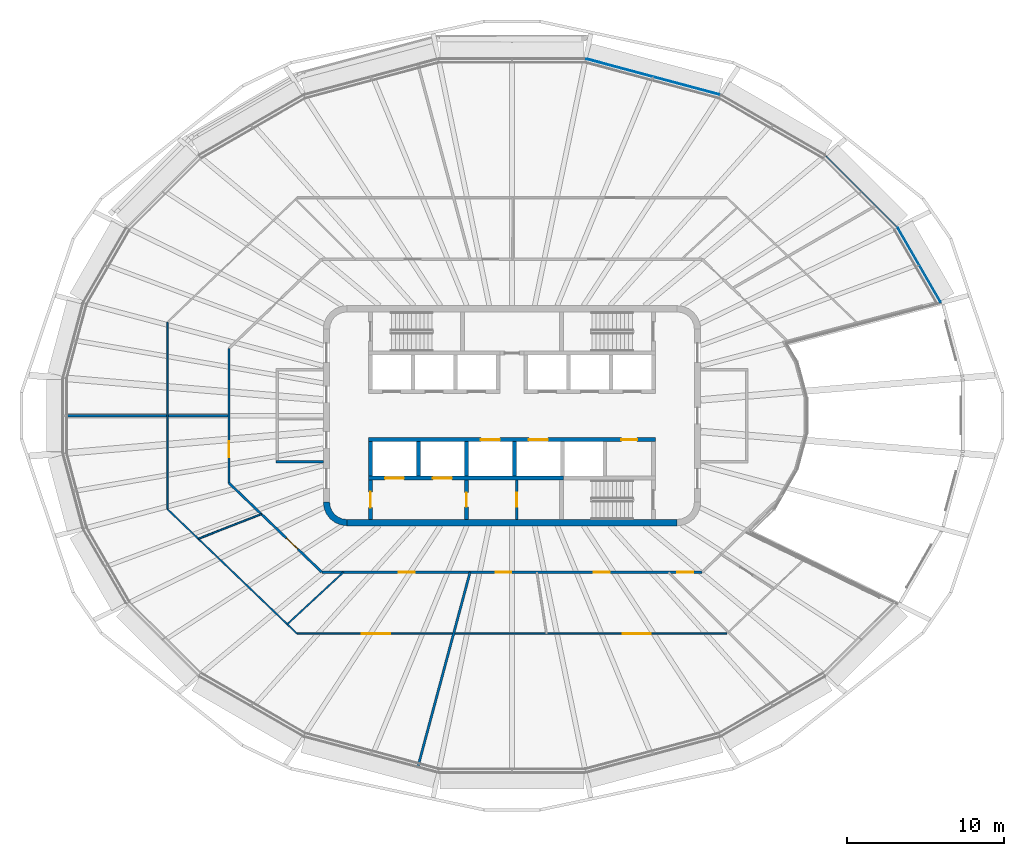
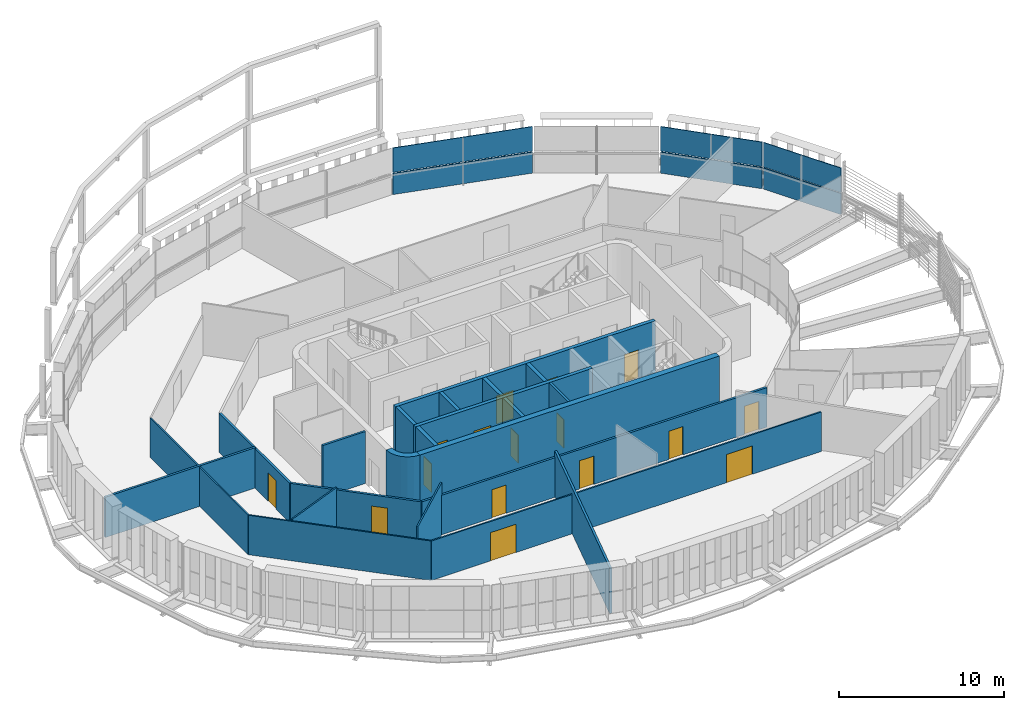
# One storey, part 9 of 19: 22 walls, 16 doors, 6 plates, 16 openings, 3 elements without a shape of their own.
"""IFC4 building model written with IfcOpenShell, lengths in metres."""

import ifcopenshell
import ifcopenshell.guid

model = None  # the IFC model being written
_history = None  # IfcOwnerHistory: only IFC2X3 demands one
_inside = {}  # id of a spatial element -> (the spatial element, [elements in it])
_under = {}  # id of a project, library or spatial element -> (it, [spatial elements below it])
_declared = {}  # id of a project -> (the project, [libraries it declares])
_typed = {}  # id of a type object -> (the type object, [elements of that type])
_made_of = {}  # id of a material, layer set ... -> (it, [elements and type objects made of it])


def new_model(schema):
    """Start an empty IFC model of exactly this schema.

    Asked for "IFC4X3", IfcOpenShell would pick the latest addendum, in which some entities
    have other attributes; the version numbers below select the first issue.
    IFC2X3 requires an IfcOwnerHistory on every rooted entity: one is made here for all.
    """
    global model, _history
    if schema == "IFC4X3":
        model = ifcopenshell.file(schema_version=(4, 3, 0, 0))
    else:
        model = ifcopenshell.file(schema=schema)
    _inside.clear()
    _under.clear()
    _declared.clear()
    _typed.clear()
    _made_of.clear()
    _history = None
    if model.schema == "IFC2X3":
        org = make("IfcOrganization", Name="unknown")
        user = make(
            "IfcPersonAndOrganization",
            ThePerson=make("IfcPerson", FamilyName="unknown"),
            TheOrganization=org,
        )
        app = make(
            "IfcApplication",
            ApplicationDeveloper=org,
            Version="unknown",
            ApplicationFullName="unknown",
            ApplicationIdentifier="unknown",
        )
        _history = make(
            "IfcOwnerHistory",
            OwningUser=user,
            OwningApplication=app,
            ChangeAction="ADDED",
            CreationDate=0,
        )
    return model


def make(cls, **values):
    """One entity of the class cls with the attributes given. An attribute that is None is left unset."""
    return model.create_entity(
        cls, **{name: value for name, value in values.items() if value is not None}
    )


def rooted(cls, **values):
    """An entity with a GlobalId (a new one), such as an element, a storey or a relation."""
    return make(cls, GlobalId=ifcopenshell.guid.new(), OwnerHistory=_history, **values)


def si_unit(unit_type, name, prefix=None):
    """IfcSIUnit, for example si_unit("LENGTHUNIT", "METRE", prefix="MILLI")."""
    return make("IfcSIUnit", UnitType=unit_type, Prefix=prefix, Name=name)


def assignment(units):
    """IfcUnitAssignment: the units of a project."""
    return None if units is None else make("IfcUnitAssignment", Units=units)


def point(xyz):
    """IfcCartesianPoint."""
    return None if xyz is None else make("IfcCartesianPoint", Coordinates=xyz)


def direction(xyz):
    """IfcDirection."""
    return None if xyz is None else make("IfcDirection", DirectionRatios=xyz)


def frame(location, z_axis=None, x_axis=None):
    """IfcAxis2Placement3D, a coordinate frame: its origin and axes. An axis left out is left unset."""
    return make(
        "IfcAxis2Placement3D",
        Location=point(location),
        Axis=direction(z_axis),
        RefDirection=direction(x_axis),
    )


def frame_2d(location, x_axis=None):
    """IfcAxis2Placement2D, a coordinate frame in the plane: its origin and x axis."""
    return make(
        "IfcAxis2Placement2D", Location=point(location), RefDirection=direction(x_axis)
    )


def origin():
    """The frame at (0, 0, 0) with its axes left unset."""
    return frame((0.0, 0.0, 0.0))


def place(relative_to, where):
    """IfcLocalPlacement: puts the frame where relative to a parent placement (None: the world)."""
    return make(
        "IfcLocalPlacement", PlacementRelTo=relative_to, RelativePlacement=where
    )


def context(
    kind, dimensions, precision=None, world=None, true_north=None, identifier=None
):
    """IfcGeometricRepresentationContext, for example the 3D "Model" context."""
    return make(
        "IfcGeometricRepresentationContext",
        ContextIdentifier=identifier,
        ContextType=kind,
        CoordinateSpaceDimension=dimensions,
        Precision=precision,
        WorldCoordinateSystem=world,
        TrueNorth=true_north,
    )


def subcontext(parent, identifier, kind, view, scale=None):
    """IfcGeometricRepresentationSubContext, for example "Body" below "Model"."""
    return make(
        "IfcGeometricRepresentationSubContext",
        ContextIdentifier=identifier,
        ContextType=kind,
        ParentContext=parent,
        TargetScale=scale,
        TargetView=view,
    )


def project(units=None, contexts=None):
    """IfcProject with its units and contexts."""
    return rooted(
        "IfcProject",
        Name="project",
        RepresentationContexts=contexts,
        UnitsInContext=assignment(units),
    )


def spatial(cls, under=None, at=None, **own):
    """A site, building, storey or space (cls), placed at a placement, below another one or the project."""
    s = rooted(cls, ObjectPlacement=at, **own)
    if under is not None:
        _under.setdefault(under.id(), (under, []))[1].append(s)
    return s


def polyline(points):
    """IfcPolyline through the points."""
    return make("IfcPolyline", Points=[point(p) for p in points])


def profile(cls, at=None, kind="AREA", **sizes):
    """A parametric profile (cls). Its sizes go by their IFC names, for example OverallWidth=200.0."""
    return make(cls, ProfileType=kind, Position=at, **sizes)


def rectangle(**sizes):
    """IfcRectangleProfileDef."""
    return profile("IfcRectangleProfileDef", **sizes)


def outline(outer, holes=None, kind="AREA"):
    """IfcArbitraryClosedProfileDef: a profile drawn as a closed curve; with holes, ...WithVoids."""
    if holes is None:
        return make("IfcArbitraryClosedProfileDef", ProfileType=kind, OuterCurve=outer)
    return make(
        "IfcArbitraryProfileDefWithVoids",
        ProfileType=kind,
        OuterCurve=outer,
        InnerCurves=holes,
    )


def extrude(swept, where, along, depth):
    """IfcExtrudedAreaSolid: the profile swept, set in the frame where, extruded along a direction by depth."""
    return make(
        "IfcExtrudedAreaSolid",
        SweptArea=swept,
        Position=where,
        ExtrudedDirection=direction(along),
        Depth=depth,
    )


def shape(context_of_items, identifier, shape_type, items):
    """IfcShapeRepresentation: the items that make up one representation, for example the "Body"."""
    return make(
        "IfcShapeRepresentation",
        ContextOfItems=context_of_items,
        RepresentationIdentifier=identifier,
        RepresentationType=shape_type,
        Items=items,
    )


def material(Name=None, Category=None):
    """IfcMaterial."""
    return make("IfcMaterial", Name=Name, Category=Category)


def layer(
    of_material, thickness, ventilated=None, Name=None, Category=None, Priority=None
):
    """IfcMaterialLayer: one layer of a wall or slab, of a material (None: an air gap)."""
    return make(
        "IfcMaterialLayer",
        Material=of_material,
        LayerThickness=thickness,
        IsVentilated=ventilated,
        Name=Name,
        Category=Category,
        Priority=Priority,
    )


def layer_set(layers, Name=None):
    """IfcMaterialLayerSet."""
    return make("IfcMaterialLayerSet", MaterialLayers=layers, LayerSetName=Name)


def made_of(thing, what):
    """Note that an element or type object is made of a material, layer set ...; save() writes the relation."""
    if what is not None:
        _made_of.setdefault(what.id(), (what, []))[1].append(thing)
    return thing


def type_object(cls, material=None, **own):
    """A type object (cls), such as IfcWallType, which elements share."""
    return made_of(rooted(cls, **own), material)


def element(
    cls,
    number,
    at=None,
    inside=None,
    cuts=None,
    type_object=None,
    material=None,
    context=None,
    identifier="Body",
    shape_type=None,
    held_by="IfcProductDefinitionShape",
    body=None,
    shapes=None,
    **own,
):
    """One element of the class cls, such as IfcWall. Its Tag is "e" and its number.

    at: its placement. inside: the storey or other place that contains it. cuts: it is an
    opening in that element (IfcRelVoidsElement). A single representation is given by context,
    identifier, shape_type and body (its items); several are given by shapes. held_by: the class
    of the entity that holds the representations. save() writes the other relations.
    """
    e = rooted(cls, Tag="e%d" % number, ObjectPlacement=at, **own)
    if body is not None:
        shapes = [shape(context, identifier, shape_type, body)]
    if shapes is not None:
        e.Representation = make(held_by, Representations=shapes)
    if inside is not None:
        _inside.setdefault(inside.id(), (inside, []))[1].append(e)
    if cuts is not None:
        rooted(
            "IfcRelVoidsElement", RelatingBuildingElement=cuts, RelatedOpeningElement=e
        )
    if type_object is not None:
        _typed.setdefault(type_object.id(), (type_object, []))[1].append(e)
    return made_of(e, material)


def fill(opening, filler):
    """IfcRelFillsElement: the door or window that sits in an opening."""
    return rooted(
        "IfcRelFillsElement",
        RelatingOpeningElement=opening,
        RelatedBuildingElement=filler,
    )


def aggregate(whole, parts):
    """IfcRelAggregates: a whole, such as a stair, and the parts it consists of."""
    return rooted("IfcRelAggregates", RelatingObject=whole, RelatedObjects=parts)


def save(model, path):
    """Write the relations noted so far, then the file.

    IfcRelAggregates (storeys below a building ...), IfcRelContainedInSpatialStructure (elements
    in a storey), IfcRelDefinesByType, IfcRelAssociatesMaterial and IfcRelDeclares: one each for
    every whole, place, type object, material and project.
    """
    for whole, parts in _under.values():
        aggregate(whole, parts)
    for where, things in _inside.values():
        rooted(
            "IfcRelContainedInSpatialStructure",
            RelatedElements=things,
            RelatingStructure=where,
        )
    for kind, things in _typed.values():
        rooted("IfcRelDefinesByType", RelatedObjects=things, RelatingType=kind)
    for what, things in _made_of.values():
        rooted("IfcRelAssociatesMaterial", RelatedObjects=things, RelatingMaterial=what)
    for by, libraries in _declared.values():
        rooted("IfcRelDeclares", RelatingContext=by, RelatedDefinitions=libraries)
    model.write(path)


model = new_model("IFC4")

# Units and contexts
model_context = context("Model", 3, precision=1e-05, world=origin(), true_north=direction((0.0, 1.0)))
body_context = subcontext(model_context, "Body", "Model", "MODEL_VIEW")
ifc_project = project(units=[si_unit("LENGTHUNIT", "METRE"), si_unit("AREAUNIT", "SQUARE_METRE"), si_unit("VOLUMEUNIT", "CUBIC_METRE"), si_unit("PLANEANGLEUNIT", "RADIAN"), si_unit("MASSUNIT", "GRAM", prefix="KILO")], contexts=[model_context])

# Site, building, storey
site_placement = place(None, origin())
site = spatial("IfcSite", under=ifc_project, at=site_placement, CompositionType="ELEMENT")
building_placement = place(site_placement, origin())
building = spatial("IfcBuilding", under=site, at=building_placement, Name="Sahrelin Media Tower", CompositionType="ELEMENT")
storey_placement = place(building_placement, frame((0.0, 0.0, 287.0)))
storey = spatial("IfcBuildingStorey", under=building, at=storey_placement, Name="L63", CompositionType="ELEMENT", Elevation=287.0)

# Curtain wall, plate
ifc_material_1 = material(Name="Champagne anodised aluminium 6063-T6", Category="aluminium")
ifc_layer_1 = layer(ifc_material_1, 0.14990234375)
ifc_layer_set_1 = layer_set([ifc_layer_1], Name="Tower ribbon curtain wall")
curtain_wall_type = type_object("IfcCurtainWallType", Name="Tower ribbon curtain wall", PredefinedType="NOTDEFINED", material=ifc_layer_set_1)
curtain_wall_1_placement = place(storey_placement, frame((25.900634765625, 9.580078125, 0.0), z_axis=(0.0, 0.0, 1.0), x_axis=(1.0, 0.0, 0.0)))
curtain_wall_1 = element("IfcCurtainWall", 1, at=curtain_wall_1_placement, inside=storey, type_object=curtain_wall_type, Name="L63:CW:L63-02", PredefinedType="NOTDEFINED")
ifc_material_2 = material(Name="Clear low-iron glazing", Category="glass")
ifc_layer_2 = layer(ifc_material_2, 0.048095703125)
ifc_layer_set_2 = layer_set([ifc_layer_2], Name="Glazing panel 48 mm CW1C")
plate_type_1 = type_object("IfcPlateType", Name="Glazing panel 48 mm CW1C", PredefinedType="CURTAIN_PANEL", material=ifc_layer_set_2)
plate_1_placement = place(storey_placement, frame((27.274658203125, 7.240478515625, 1.6298828125), z_axis=(0.866014013474, 0.500019728077, 0.0), x_axis=(-0.500019728077, 0.866014013474, 0.0)))
plate_1 = element("IfcPlate", 2, at=plate_1_placement, type_object=plate_type_1, Name="L63:CWP2:L63-02", PredefinedType="CURTAIN_PANEL", context=body_context, shape_type="SweptSolid", body=[
    extrude(outline(polyline([(0.0, 0.0), (5.426513671875, 0.0), (5.426513671875, 1.818603515625), (0.0, 1.818603515625), (0.0, 0.0)])), origin(), (0.0, 0.0, -1.0), 0.048095703125),
])

curtain_wall_2_placement = place(storey_placement, frame((22.2294921875, 14.2626953125, 0.0), z_axis=(0.0, 0.0, 1.0), x_axis=(1.0, 0.0, 0.0)))
curtain_wall_2 = element("IfcCurtainWall", 3, at=curtain_wall_2_placement, inside=storey, type_object=curtain_wall_type, Name="L63:CW:L63-03", PredefinedType="NOTDEFINED")
plate_2_placement = place(storey_placement, frame((24.497802734375, 12.022705078125, 1.6298828125), z_axis=(0.707125926591, 0.707087635264, 0.0), x_axis=(-0.707087635264, 0.707125926591, 0.0)))
plate_2 = element("IfcPlate", 4, at=plate_2_placement, type_object=plate_type_1, Name="L63:CWP2:L63-03", PredefinedType="CURTAIN_PANEL", context=body_context, shape_type="SweptSolid", body=[
    extrude(outline(polyline([(0.0, 0.0), (6.3759765625, 0.0), (6.3759765625, 1.818603515625), (0.0, 1.818603515625), (0.0, 0.0)])), origin(), (0.0, 0.0, -1.0), 0.048095703125),
])

curtain_wall_3_placement = place(storey_placement, frame((8.972412109375, 21.55810546875, 0.0), z_axis=(0.0, 0.0, 1.0), x_axis=(1.0, 0.0, 0.0)))
curtain_wall_3 = element("IfcCurtainWall", 5, at=curtain_wall_3_placement, inside=storey, type_object=curtain_wall_type, Name="L63:CW:L63-05", PredefinedType="NOTDEFINED")
plate_3_placement = place(storey_placement, frame((13.21630859375, 20.44189453125, 1.6298828125), z_axis=(0.2587930952, 0.965932779171, 0.0), x_axis=(-0.965932779171, 0.2587930952, 0.0)))
plate_3 = element("IfcPlate", 6, at=plate_3_placement, type_object=plate_type_1, Name="L63:CWP2:L63-05", PredefinedType="CURTAIN_PANEL", context=body_context, shape_type="SweptSolid", body=[
    extrude(outline(polyline([(0.0, 0.0), (8.7763671875, 0.0), (8.7763671875, 1.818603515625), (0.0, 1.818603515625), (0.0, 0.0)])), origin(), (0.0, 0.0, -1.0), 0.048095703125),
])

# Plate
ifc_material_3 = material(Name="Insulated spandrel panel")
ifc_layer_3 = layer(ifc_material_3, 0.06005859375)
ifc_layer_set_3 = layer_set([ifc_layer_3], Name="Spandrel panel 60 mm CW1")
plate_type_2 = type_object("IfcPlateType", Name="Spandrel panel 60 mm CW1", PredefinedType="SHEET", material=ifc_layer_set_3)
plate_4_placement = place(storey_placement, frame((27.274658203125, 7.240478515625, 0.0), z_axis=(0.866014013474, 0.500019728077, 0.0), x_axis=(-0.500019728077, 0.866014013474, 0.0)))
plate_4 = element("IfcPlate", 7, at=plate_4_placement, type_object=plate_type_2, Name="L63:CWP1:L63-02", PredefinedType="SHEET", context=body_context, shape_type="SweptSolid", body=[
    extrude(outline(polyline([(0.0, 0.0), (5.426513671875, 0.0), (5.426513671875, 1.570068359375), (0.0, 1.570068359375), (0.0, 0.0)])), origin(), (0.0, 0.0, -1.0), 0.06005859375),
])

aggregate(curtain_wall_1, [plate_4, plate_1])

plate_5_placement = place(storey_placement, frame((24.497802734375, 12.022705078125, 0.0), z_axis=(0.707125926591, 0.707087635264, 0.0), x_axis=(-0.707087635264, 0.707125926591, 0.0)))
plate_5 = element("IfcPlate", 8, at=plate_5_placement, type_object=plate_type_2, Name="L63:CWP1:L63-03", PredefinedType="SHEET", context=body_context, shape_type="SweptSolid", body=[
    extrude(outline(polyline([(0.0, 0.0), (6.3759765625, 0.0), (6.3759765625, 1.570068359375), (0.0, 1.570068359375), (0.0, 0.0)])), origin(), (0.0, 0.0, -1.0), 0.06005859375),
])

aggregate(curtain_wall_2, [plate_5, plate_2])

plate_6_placement = place(storey_placement, frame((13.21630859375, 20.44189453125, 0.0), z_axis=(0.2587930952, 0.965932779171, 0.0), x_axis=(-0.965932779171, 0.2587930952, 0.0)))
plate_6 = element("IfcPlate", 9, at=plate_6_placement, type_object=plate_type_2, Name="L63:CWP1:L63-05", PredefinedType="SHEET", context=body_context, shape_type="SweptSolid", body=[
    extrude(outline(polyline([(0.0, 0.0), (8.7763671875, 0.0), (8.7763671875, 1.570068359375), (0.0, 1.570068359375), (0.0, 0.0)])), origin(), (0.0, 0.0, -1.0), 0.06005859375),
])

aggregate(curtain_wall_3, [plate_6, plate_3])

# Walls
ifc_material_4 = material(Name="Concrete C60/75", Category="concrete")
ifc_layer_4 = layer(ifc_material_4, 0.39990234375)
ifc_layer_set_4 = layer_set([ifc_layer_4], Name="Core wall 400")
wall_type_1 = type_object("IfcWallType", Name="Core wall 400", PredefinedType="SHEAR", material=ifc_layer_set_4)
wall_1_placement = place(storey_placement, frame((-10.5, -6.800048828125, 0.0), z_axis=(0.0, 0.0, 1.0), x_axis=(1.0, 0.0, 0.0)))
element("IfcWall", 10, at=wall_1_placement, inside=storey, type_object=wall_type_1, Name="Core wall S L63", PredefinedType="SHEAR", context=body_context, shape_type="SweptSolid", body=[
    extrude(rectangle(XDim=21.0, YDim=0.39990234375, at=frame_2d((10.5, 0.0))), origin(), (0.0, 0.0, 1.0), 4.0),
])
wall_2_placement = place(storey_placement, origin())
element("IfcWall", 11, at=wall_2_placement, inside=storey, type_object=wall_type_1, Name="Core wall corner SW L63", PredefinedType="SHEAR", context=body_context, shape_type="SweptSolid", body=[
    extrude(outline(polyline([(-10.5, -7.0), (-10.5, -6.596435546875), (-10.78369140625, -6.55908203125), (-11.04833984375, -6.44970703125), (-11.275390625, -6.275390625), (-11.44970703125, -6.04833984375), (-11.55908203125, -5.78369140625), (-11.596435546875, -5.5), (-12.0, -5.5), (-11.948974609375, -5.88818359375), (-11.799072265625, -6.25), (-11.560791015625, -6.560791015625), (-11.25, -6.799072265625), (-10.88818359375, -6.948974609375), (-10.5, -7.0)])), origin(), (0.0, 0.0, 1.0), 4.0),
])

# Wall, opening, door
ifc_material_5 = material(Name="Fire-rated gypsum board partition")
ifc_layer_5 = layer(ifc_material_5, 0.14990234375)
ifc_layer_set_5 = layer_set([ifc_layer_5], Name="Fire-rated partition 150")
wall_type_2 = type_object("IfcWallType", Name="Fire-rated partition 150", PredefinedType="PARTITIONING", material=ifc_layer_set_5)
wall_3_placement = place(storey_placement, frame((0.300048828125, -6.60009765625, 0.0), z_axis=(0.0, 0.0, 1.0), x_axis=(0.0, 1.0, 0.0)))
wall_3 = element("IfcWall", 12, at=wall_3_placement, inside=storey, type_object=wall_type_2, Name="Core room fire partition", PredefinedType="PARTITIONING", context=body_context, shape_type="SweptSolid", body=[
    extrude(rectangle(XDim=2.5, YDim=0.14990234375, at=frame_2d((1.25, 0.0))), origin(), (0.0, 0.0, 1.0), 3.85009765625),
])
opening_1_placement = place(wall_3_placement, frame((0.800048828125, 0.0, 0.0)))
opening_1 = element("IfcOpeningElement", 13, at=opening_1_placement, cuts=wall_3, Name="Opening L63-D07", PredefinedType="OPENING", context=body_context, shape_type="SweptSolid", body=[
    extrude(rectangle(XDim=0.89990234375, YDim=2.10009765625, at=frame_2d((0.449951171875, 1.050048828125))), frame((0.0, 0.074951171875, 0.0), z_axis=(0.0, -1.0, 0.0), x_axis=(1.0, 0.0, 0.0)), (0.0, 0.0, 1.0), 0.14990234375),
])
ifc_material_6 = material(Name="Steel fire door leaf", Category="steel")
door_type_1 = type_object("IfcDoorType", Name="Fire door 900 x 2100 EI 60", OperationType="NOTDEFINED", PredefinedType="DOOR", material=ifc_material_6)
door_1_placement = place(opening_1_placement, origin())
door_1 = element("IfcDoor", 14, at=door_1_placement, inside=storey, type_object=door_type_1, Name="Core room door", OperationType="SINGLE_SWING_RIGHT", OverallHeight=2.10009765625, OverallWidth=0.89990234375, PredefinedType="DOOR", context=body_context, shape_type="SweptSolid", body=[
    extrude(rectangle(XDim=0.89990234375, YDim=2.10009765625, at=frame_2d((0.449951171875, 1.050048828125))), frame((0.0, 0.02490234375, 0.0), z_axis=(0.0, -1.0, 0.0), x_axis=(1.0, 0.0, 0.0)), (0.0, 0.0, 1.0), 0.050048828125),
])
fill(opening_1, door_1)

# Wall
wall_4_placement = place(storey_placement, frame((-15.0, -2.925048828125, 0.0), z_axis=(0.0, 0.0, 1.0), x_axis=(1.0, 0.0, 0.0)))
element("IfcWall", 15, at=wall_4_placement, inside=storey, type_object=wall_type_2, Name="Core room fire partition", PredefinedType="PARTITIONING", context=body_context, shape_type="SweptSolid", body=[
    extrude(rectangle(XDim=3.0, YDim=0.14990234375, at=frame_2d((1.5, 0.0))), origin(), (0.0, 0.0, 1.0), 3.85009765625),
])

# Wall, opening, door
wall_5_placement = place(storey_placement, frame((-18.0, -4.278076171875, 0.0), z_axis=(0.0, 0.0, 1.0), x_axis=(0.721290181137, -0.692633001376, 0.0)))
wall_5 = element("IfcWall", 16, at=wall_5_placement, inside=storey, type_object=wall_type_2, Name="Wall", PredefinedType="PARTITIONING", context=body_context, shape_type="SweptSolid", body=[
    extrude(rectangle(XDim=8.18701171875, YDim=0.14990234375, at=frame_2d((4.093505859375, 0.0))), origin(), (0.0, 0.0, 1.0), 2.927001953125),
])
opening_2_placement = place(wall_5_placement, frame((5.073486328125, 0.0, 0.0)))
opening_2 = element("IfcOpeningElement", 17, at=opening_2_placement, cuts=wall_5, Name="Opening L63-D29", PredefinedType="OPENING", context=body_context, shape_type="SweptSolid", body=[
    extrude(rectangle(XDim=1.0, YDim=2.10009765625, at=frame_2d((0.5, 1.050048828125))), frame((0.0, 0.074951171875, 0.0), z_axis=(0.0, -1.0, 0.0), x_axis=(1.0, 0.0, 0.0)), (0.0, 0.0, 1.0), 0.14990234375),
])
door_type_2 = type_object("IfcDoorType", Name="Fire door 1000 x 2100 EI 60", OperationType="NOTDEFINED", PredefinedType="DOOR", material=ifc_material_6)
door_2_placement = place(opening_2_placement, origin())
door_2 = element("IfcDoor", 18, at=door_2_placement, inside=storey, type_object=door_type_2, Name="Fire door", OperationType="SINGLE_SWING_LEFT", OverallHeight=2.10009765625, OverallWidth=1.0, PredefinedType="DOOR", context=body_context, shape_type="SweptSolid", body=[
    extrude(rectangle(XDim=1.0, YDim=2.10009765625, at=frame_2d((0.5, 1.050048828125))), frame((0.0, 0.02490234375, 0.0), z_axis=(0.0, -1.0, 0.0), x_axis=(1.0, 0.0, 0.0)), (0.0, 0.0, 1.0), 0.050048828125),
])
fill(opening_2, door_2)

# Wall, openings, doors
wall_6_placement = place(storey_placement, frame((-12.094970703125, -9.948974609375, 0.0), z_axis=(0.0, 0.0, 1.0), x_axis=(1.0, 0.0, 0.0)))
wall_6 = element("IfcWall", 19, at=wall_6_placement, inside=storey, type_object=wall_type_2, Name="Wall", PredefinedType="PARTITIONING", context=body_context, shape_type="SweptSolid", body=[
    extrude(rectangle(XDim=24.18994140625, YDim=0.14990234375, at=frame_2d((12.094970703125, 0.0))), origin(), (0.0, 0.0, 1.0), 2.927001953125),
])
opening_3_placement = place(wall_6_placement, frame((22.616943359375, 0.0, 0.0)))
opening_3 = element("IfcOpeningElement", 20, at=opening_3_placement, cuts=wall_6, Name="Opening L63-D18", PredefinedType="OPENING", context=body_context, shape_type="SweptSolid", body=[
    extrude(rectangle(XDim=1.0, YDim=2.10009765625, at=frame_2d((0.5, 1.050048828125))), frame((0.0, 0.074951171875, 0.0), z_axis=(0.0, -1.0, 0.0), x_axis=(1.0, 0.0, 0.0)), (0.0, 0.0, 1.0), 0.14990234375),
])
opening_4_placement = place(wall_6_placement, frame((4.900390625, 0.0, 0.0)))
opening_4 = element("IfcOpeningElement", 21, at=opening_4_placement, cuts=wall_6, Name="Opening L63-D30", PredefinedType="OPENING", context=body_context, shape_type="SweptSolid", body=[
    extrude(rectangle(XDim=1.0, YDim=2.10009765625, at=frame_2d((0.5, 1.050048828125))), frame((0.0, 0.074951171875, 0.0), z_axis=(0.0, -1.0, 0.0), x_axis=(1.0, 0.0, 0.0)), (0.0, 0.0, 1.0), 0.14990234375),
])
opening_5_placement = place(wall_6_placement, frame((11.050048828125, 0.0, 0.0)))
opening_5 = element("IfcOpeningElement", 22, at=opening_5_placement, cuts=wall_6, Name="Opening L63-D32", PredefinedType="OPENING", context=body_context, shape_type="SweptSolid", body=[
    extrude(rectangle(XDim=1.0, YDim=2.10009765625, at=frame_2d((0.5, 1.050048828125))), frame((0.0, 0.074951171875, 0.0), z_axis=(0.0, -1.0, 0.0), x_axis=(1.0, 0.0, 0.0)), (0.0, 0.0, 1.0), 0.14990234375),
])
opening_6_placement = place(wall_6_placement, frame((17.306884765625, 0.0, 0.0)))
opening_6 = element("IfcOpeningElement", 23, at=opening_6_placement, cuts=wall_6, Name="Opening L63-D33", PredefinedType="OPENING", context=body_context, shape_type="SweptSolid", body=[
    extrude(rectangle(XDim=1.0, YDim=2.10009765625, at=frame_2d((0.5, 1.050048828125))), frame((0.0, 0.074951171875, 0.0), z_axis=(0.0, -1.0, 0.0), x_axis=(1.0, 0.0, 0.0)), (0.0, 0.0, 1.0), 0.14990234375),
])
door_3_placement = place(opening_3_placement, origin())
door_3 = element("IfcDoor", 24, at=door_3_placement, inside=storey, type_object=door_type_2, Name="Fire door", OperationType="SINGLE_SWING_LEFT", OverallHeight=2.10009765625, OverallWidth=1.0, PredefinedType="DOOR", context=body_context, shape_type="SweptSolid", body=[
    extrude(rectangle(XDim=1.0, YDim=2.10009765625, at=frame_2d((0.5, 1.050048828125))), frame((0.0, 0.02490234375, 0.0), z_axis=(0.0, -1.0, 0.0), x_axis=(1.0, 0.0, 0.0)), (0.0, 0.0, 1.0), 0.050048828125),
])
fill(opening_3, door_3)
door_4_placement = place(opening_4_placement, origin())
door_4 = element("IfcDoor", 25, at=door_4_placement, inside=storey, type_object=door_type_2, Name="Fire door", OperationType="SINGLE_SWING_RIGHT", OverallHeight=2.10009765625, OverallWidth=1.0, PredefinedType="DOOR", context=body_context, shape_type="SweptSolid", body=[
    extrude(rectangle(XDim=1.0, YDim=2.10009765625, at=frame_2d((0.5, 1.050048828125))), frame((0.0, 0.02490234375, 0.0), z_axis=(0.0, -1.0, 0.0), x_axis=(1.0, 0.0, 0.0)), (0.0, 0.0, 1.0), 0.050048828125),
])
fill(opening_4, door_4)
door_5_placement = place(opening_5_placement, origin())
door_5 = element("IfcDoor", 26, at=door_5_placement, inside=storey, type_object=door_type_2, Name="Fire door", OperationType="SINGLE_SWING_RIGHT", OverallHeight=2.10009765625, OverallWidth=1.0, PredefinedType="DOOR", context=body_context, shape_type="SweptSolid", body=[
    extrude(rectangle(XDim=1.0, YDim=2.10009765625, at=frame_2d((0.5, 1.050048828125))), frame((0.0, 0.02490234375, 0.0), z_axis=(0.0, -1.0, 0.0), x_axis=(1.0, 0.0, 0.0)), (0.0, 0.0, 1.0), 0.050048828125),
])
fill(opening_5, door_5)
door_6_placement = place(opening_6_placement, origin())
door_6 = element("IfcDoor", 27, at=door_6_placement, inside=storey, type_object=door_type_2, Name="Fire door", OperationType="SINGLE_SWING_RIGHT", OverallHeight=2.10009765625, OverallWidth=1.0, PredefinedType="DOOR", context=body_context, shape_type="SweptSolid", body=[
    extrude(rectangle(XDim=1.0, YDim=2.10009765625, at=frame_2d((0.5, 1.050048828125))), frame((0.0, 0.02490234375, 0.0), z_axis=(0.0, -1.0, 0.0), x_axis=(1.0, 0.0, 0.0)), (0.0, 0.0, 1.0), 0.050048828125),
])
fill(opening_6, door_6)

# Walls
wall_7_placement = place(storey_placement, frame((-28.56689453125, 0.0, 0.0), z_axis=(0.0, 0.0, 1.0), x_axis=(1.0, 0.0, 0.0)))
element("IfcWall", 28, at=wall_7_placement, inside=storey, type_object=wall_type_2, Name="Wall", PredefinedType="PARTITIONING", context=body_context, shape_type="SweptSolid", body=[
    extrude(rectangle(XDim=10.56689453125, YDim=0.14990234375, at=frame_2d((5.283447265625, 0.0))), origin(), (0.0, 0.0, 1.0), 2.9951171875),
])
wall_8_placement = place(storey_placement, frame((-5.990966796875, -22.35693359375, 0.0), z_axis=(0.0, 0.0, 1.0), x_axis=(0.258854832266, 0.965916236437, 0.0)))
element("IfcWall", 29, at=wall_8_placement, inside=storey, type_object=wall_type_2, Name="Wall", PredefinedType="PARTITIONING", context=body_context, shape_type="SweptSolid", body=[
    extrude(rectangle(XDim=12.845703125, YDim=0.14990234375, at=frame_2d((6.4228515625, 0.0))), origin(), (0.0, 0.0, 1.0), 3.373046875),
])

# Wall, opening, door
wall_9_placement = place(storey_placement, frame((-18.0, -4.278076171875, 0.0), z_axis=(0.0, 0.0, 1.0), x_axis=(0.0, 1.0, 0.0)))
wall_9 = element("IfcWall", 30, at=wall_9_placement, inside=storey, type_object=wall_type_2, Name="Wall", PredefinedType="PARTITIONING", context=body_context, shape_type="SweptSolid", body=[
    extrude(rectangle(XDim=8.55615234375, YDim=0.14990234375, at=frame_2d((4.278076171875, 0.0))), origin(), (0.0, 0.0, 1.0), 2.918212890625),
])
opening_7_placement = place(wall_9_placement, frame((1.638916015625, 0.0, 0.0)))
opening_7 = element("IfcOpeningElement", 31, at=opening_7_placement, cuts=wall_9, Name="Opening L63-D28", PredefinedType="OPENING", context=body_context, shape_type="SweptSolid", body=[
    extrude(rectangle(XDim=1.0, YDim=2.10009765625, at=frame_2d((0.5, 1.050048828125))), frame((0.0, 0.074951171875, 0.0), z_axis=(0.0, -1.0, 0.0), x_axis=(1.0, 0.0, 0.0)), (0.0, 0.0, 1.0), 0.14990234375),
])
door_7_placement = place(opening_7_placement, origin())
door_7 = element("IfcDoor", 32, at=door_7_placement, inside=storey, type_object=door_type_2, Name="Fire door", OperationType="SINGLE_SWING_RIGHT", OverallHeight=2.10009765625, OverallWidth=1.0, PredefinedType="DOOR", context=body_context, shape_type="SweptSolid", body=[
    extrude(rectangle(XDim=1.0, YDim=2.10009765625, at=frame_2d((0.5, 1.050048828125))), frame((0.0, 0.02490234375, 0.0), z_axis=(0.0, -1.0, 0.0), x_axis=(1.0, 0.0, 0.0)), (0.0, 0.0, 1.0), 0.050048828125),
])
fill(opening_7, door_7)

ifc_layer_6 = layer(ifc_material_5, 0.25)
ifc_layer_set_6 = layer_set([ifc_layer_6], Name="Firefighting lobby wall 250")
wall_type_3 = type_object("IfcWallType", Name="Firefighting lobby wall 250", PredefinedType="PARTITIONING", material=ifc_layer_set_6)
wall_10_placement = place(storey_placement, frame((-9.0, -6.60009765625, 0.0), z_axis=(0.0, 0.0, 1.0), x_axis=(0.0, 1.0, 0.0)))
wall_10 = element("IfcWall", 33, at=wall_10_placement, inside=storey, type_object=wall_type_3, Name="Core wall", PredefinedType="PARTITIONING", context=body_context, shape_type="SweptSolid", body=[
    extrude(rectangle(XDim=2.5, YDim=0.25, at=frame_2d((1.25, 0.0))), origin(), (0.0, 0.0, 1.0), 3.85009765625),
])
opening_8_placement = place(wall_10_placement, frame((0.75, 0.0, 0.0)))
opening_8 = element("IfcOpeningElement", 34, at=opening_8_placement, cuts=wall_10, Name="Opening L63-D04", PredefinedType="OPENING", context=body_context, shape_type="SweptSolid", body=[
    extrude(rectangle(XDim=1.0, YDim=2.10009765625, at=frame_2d((0.5, 1.050048828125))), frame((0.0, 0.125, 0.0), z_axis=(0.0, -1.0, 0.0), x_axis=(1.0, 0.0, 0.0)), (0.0, 0.0, 1.0), 0.25),
])
door_type_3 = type_object("IfcDoorType", Name="Firefighting lobby door 1000 x 2100 EI 120", OperationType="NOTDEFINED", PredefinedType="DOOR", material=ifc_material_6)
door_8_placement = place(opening_8_placement, origin())
door_8 = element("IfcDoor", 35, at=door_8_placement, inside=storey, type_object=door_type_3, Name="Firefighting lobby door", OperationType="SINGLE_SWING_LEFT", OverallHeight=2.10009765625, OverallWidth=1.0, PredefinedType="DOOR", context=body_context, shape_type="SweptSolid", body=[
    extrude(rectangle(XDim=1.0, YDim=2.10009765625, at=frame_2d((0.5, 1.050048828125))), frame((0.0, 0.02490234375, 0.0), z_axis=(0.0, -1.0, 0.0), x_axis=(1.0, 0.0, 0.0)), (0.0, 0.0, 1.0), 0.050048828125),
])
fill(opening_8, door_8)

wall_11_placement = place(storey_placement, frame((-2.89990234375, -6.60009765625, 0.0), z_axis=(0.0, 0.0, 1.0), x_axis=(0.0, 1.0, 0.0)))
wall_11 = element("IfcWall", 36, at=wall_11_placement, inside=storey, type_object=wall_type_3, Name="Core wall", PredefinedType="PARTITIONING", context=body_context, shape_type="SweptSolid", body=[
    extrude(rectangle(XDim=2.5, YDim=0.25, at=frame_2d((1.25, 0.0))), origin(), (0.0, 0.0, 1.0), 3.85009765625),
])
opening_9_placement = place(wall_11_placement, frame((0.800048828125, 0.0, 0.0)))
opening_9 = element("IfcOpeningElement", 37, at=opening_9_placement, cuts=wall_11, Name="Opening L63-D05", PredefinedType="OPENING", context=body_context, shape_type="SweptSolid", body=[
    extrude(rectangle(XDim=0.89990234375, YDim=2.10009765625, at=frame_2d((0.449951171875, 1.050048828125))), frame((0.0, 0.125, 0.0), z_axis=(0.0, -1.0, 0.0), x_axis=(1.0, 0.0, 0.0)), (0.0, 0.0, 1.0), 0.25),
])
door_type_4 = type_object("IfcDoorType", Name="Firefighting lobby door 900 x 2100 EI 120", OperationType="NOTDEFINED", PredefinedType="DOOR", material=ifc_material_6)
door_9_placement = place(opening_9_placement, origin())
door_9 = element("IfcDoor", 38, at=door_9_placement, inside=storey, type_object=door_type_4, Name="Riser door", OperationType="SINGLE_SWING_RIGHT", OverallHeight=2.10009765625, OverallWidth=0.89990234375, PredefinedType="DOOR", context=body_context, shape_type="SweptSolid", body=[
    extrude(rectangle(XDim=0.89990234375, YDim=2.10009765625, at=frame_2d((0.449951171875, 1.050048828125))), frame((0.0, 0.02490234375, 0.0), z_axis=(0.0, -1.0, 0.0), x_axis=(1.0, 0.0, 0.0)), (0.0, 0.0, 1.0), 0.050048828125),
])
fill(opening_9, door_9)

# Wall, openings, doors
ifc_layer_7 = layer(ifc_material_4, 0.25)
ifc_layer_set_7 = layer_set([ifc_layer_7], Name="Lift shaft wall 250")
wall_type_4 = type_object("IfcWallType", Name="Lift shaft wall 250", PredefinedType="SOLIDWALL", material=ifc_layer_set_7)
wall_12_placement = place(storey_placement, frame((-9.125, -1.52490234375, 0.0), z_axis=(0.0, 0.0, 1.0), x_axis=(1.0, 0.0, 0.0)))
wall_12 = element("IfcWall", 39, at=wall_12_placement, inside=storey, type_object=wall_type_4, Name="Lift shaft wall", PredefinedType="SOLIDWALL", context=body_context, shape_type="SweptSolid", body=[
    extrude(rectangle(XDim=18.25, YDim=0.25, at=frame_2d((9.125, 0.0))), origin(), (0.0, 0.0, 1.0), 3.85009765625),
])
opening_10_placement = place(wall_12_placement, frame((7.14990234375, 0.0, 0.0)))
opening_10 = element("IfcOpeningElement", 40, at=opening_10_placement, cuts=wall_12, Name="Opening L63-LD-SV1", PredefinedType="OPENING", context=body_context, shape_type="SweptSolid", body=[
    extrude(rectangle(XDim=1.199951171875, YDim=2.10009765625, at=frame_2d((0.60009765625, 1.050048828125))), frame((0.0, 0.125, 0.0), z_axis=(0.0, -1.0, 0.0), x_axis=(1.0, 0.0, 0.0)), (0.0, 0.0, 1.0), 0.25),
])
opening_11_placement = place(wall_12_placement, frame((10.199951171875, 0.0, 0.0)))
opening_11 = element("IfcOpeningElement", 41, at=opening_11_placement, cuts=wall_12, Name="Opening L63-LD-SV2", PredefinedType="OPENING", context=body_context, shape_type="SweptSolid", body=[
    extrude(rectangle(XDim=1.199951171875, YDim=2.10009765625, at=frame_2d((0.60009765625, 1.050048828125))), frame((0.0, 0.125, 0.0), z_axis=(0.0, -1.0, 0.0), x_axis=(1.0, 0.0, 0.0)), (0.0, 0.0, 1.0), 0.25),
])
opening_12_placement = place(wall_12_placement, frame((16.074951171875, 0.0, 0.0)))
opening_12 = element("IfcOpeningElement", 42, at=opening_12_placement, cuts=wall_12, Name="Opening L63-D08", PredefinedType="OPENING", context=body_context, shape_type="SweptSolid", body=[
    extrude(rectangle(XDim=1.0, YDim=2.10009765625, at=frame_2d((0.5, 1.050048828125))), frame((0.0, 0.125, 0.0), z_axis=(0.0, -1.0, 0.0), x_axis=(1.0, 0.0, 0.0)), (0.0, 0.0, 1.0), 0.25),
])
door_10_placement = place(opening_12_placement, origin())
door_10 = element("IfcDoor", 43, at=door_10_placement, inside=storey, type_object=door_type_2, Name="Core room door", OperationType="SINGLE_SWING_RIGHT", OverallHeight=2.10009765625, OverallWidth=1.0, PredefinedType="DOOR", context=body_context, shape_type="SweptSolid", body=[
    extrude(rectangle(XDim=1.0, YDim=2.10009765625, at=frame_2d((0.5, 1.050048828125))), frame((0.0, 0.02490234375, 0.0), z_axis=(0.0, -1.0, 0.0), x_axis=(1.0, 0.0, 0.0)), (0.0, 0.0, 1.0), 0.050048828125),
])
fill(opening_12, door_10)
ifc_material_7 = material(Name="Stainless steel", Category="steel")
door_type_5 = type_object("IfcDoorType", Name="Lift landing door 1200 x 2100 EI 120", OperationType="DOUBLE_DOOR_SLIDING", PredefinedType="DOOR", material=ifc_material_7)
door_11_placement = place(opening_10_placement, origin())
door_11 = element("IfcDoor", 44, at=door_11_placement, inside=storey, type_object=door_type_5, Name="Lift landing door SV1", OperationType="DOUBLE_DOOR_SLIDING", OverallHeight=2.10009765625, OverallWidth=1.199951171875, PredefinedType="DOOR", context=body_context, shape_type="SweptSolid", body=[
    extrude(rectangle(XDim=1.199951171875, YDim=2.10009765625, at=frame_2d((0.60009765625, 1.050048828125))), frame((0.0, 0.02490234375, 0.0), z_axis=(0.0, -1.0, 0.0), x_axis=(1.0, 0.0, 0.0)), (0.0, 0.0, 1.0), 0.050048828125),
])
fill(opening_10, door_11)
door_12_placement = place(opening_11_placement, origin())
door_12 = element("IfcDoor", 45, at=door_12_placement, inside=storey, type_object=door_type_5, Name="Lift landing door SV2", OperationType="DOUBLE_DOOR_SLIDING", OverallHeight=2.10009765625, OverallWidth=1.199951171875, PredefinedType="DOOR", context=body_context, shape_type="SweptSolid", body=[
    extrude(rectangle(XDim=1.199951171875, YDim=2.10009765625, at=frame_2d((0.60009765625, 1.050048828125))), frame((0.0, 0.02490234375, 0.0), z_axis=(0.0, -1.0, 0.0), x_axis=(1.0, 0.0, 0.0)), (0.0, 0.0, 1.0), 0.050048828125),
])
fill(opening_11, door_12)

wall_13_placement = place(storey_placement, frame((-9.125, -3.97509765625, 0.0), z_axis=(0.0, 0.0, 1.0), x_axis=(1.0, 0.0, 0.0)))
wall_13 = element("IfcWall", 46, at=wall_13_placement, inside=storey, type_object=wall_type_4, Name="Lift shaft wall", PredefinedType="SOLIDWALL", context=body_context, shape_type="SweptSolid", body=[
    extrude(rectangle(XDim=12.39990234375, YDim=0.25, at=frame_2d((6.199951171875, 0.0))), origin(), (0.0, 0.0, 1.0), 3.85009765625),
])
opening_13_placement = place(wall_13_placement, frame((1.050048828125, 0.0, 0.0)))
opening_13 = element("IfcOpeningElement", 47, at=opening_13_placement, cuts=wall_13, Name="Opening L63-LD-FF1", PredefinedType="OPENING", context=body_context, shape_type="SweptSolid", body=[
    extrude(rectangle(XDim=1.199951171875, YDim=2.10009765625, at=frame_2d((0.60009765625, 1.050048828125))), frame((0.0, 0.125, 0.0), z_axis=(0.0, -1.0, 0.0), x_axis=(1.0, 0.0, 0.0)), (0.0, 0.0, 1.0), 0.25),
])
opening_14_placement = place(wall_13_placement, frame((4.10009765625, 0.0, 0.0)))
opening_14 = element("IfcOpeningElement", 48, at=opening_14_placement, cuts=wall_13, Name="Opening L63-LD-FF2", PredefinedType="OPENING", context=body_context, shape_type="SweptSolid", body=[
    extrude(rectangle(XDim=1.199951171875, YDim=2.10009765625, at=frame_2d((0.60009765625, 1.050048828125))), frame((0.0, 0.125, 0.0), z_axis=(0.0, -1.0, 0.0), x_axis=(1.0, 0.0, 0.0)), (0.0, 0.0, 1.0), 0.25),
])
door_13_placement = place(opening_13_placement, origin())
door_13 = element("IfcDoor", 49, at=door_13_placement, inside=storey, type_object=door_type_5, Name="Lift landing door FF1", OperationType="DOUBLE_DOOR_SLIDING", OverallHeight=2.10009765625, OverallWidth=1.199951171875, PredefinedType="DOOR", context=body_context, shape_type="SweptSolid", body=[
    extrude(rectangle(XDim=1.199951171875, YDim=2.10009765625, at=frame_2d((0.60009765625, 1.050048828125))), frame((0.0, 0.02490234375, 0.0), z_axis=(0.0, -1.0, 0.0), x_axis=(1.0, 0.0, 0.0)), (0.0, 0.0, 1.0), 0.050048828125),
])
fill(opening_13, door_13)
door_14_placement = place(opening_14_placement, origin())
door_14 = element("IfcDoor", 50, at=door_14_placement, inside=storey, type_object=door_type_5, Name="Lift landing door FF2", OperationType="DOUBLE_DOOR_SLIDING", OverallHeight=2.10009765625, OverallWidth=1.199951171875, PredefinedType="DOOR", context=body_context, shape_type="SweptSolid", body=[
    extrude(rectangle(XDim=1.199951171875, YDim=2.10009765625, at=frame_2d((0.60009765625, 1.050048828125))), frame((0.0, 0.02490234375, 0.0), z_axis=(0.0, -1.0, 0.0), x_axis=(1.0, 0.0, 0.0)), (0.0, 0.0, 1.0), 0.050048828125),
])
fill(opening_14, door_14)

# Walls
for number, where, z_axis, x_axis, name in (
    (51, (-9.0, -3.85009765625, 0.0), (0.0, 0.0, 1.0), (0.0, 1.0, 0.0), "Lift shaft wall"),
    (52, (-5.949951171875, -3.85009765625, 0.0), (0.0, 0.0, 1.0), (0.0, 1.0, 0.0), "Lift shaft wall"),
    (53, (-2.89990234375, -3.85009765625, 0.0), (0.0, 0.0, 1.0), (0.0, 1.0, 0.0), "Lift shaft wall"),
    (54, (0.14990234375, -3.85009765625, 0.0), (0.0, 0.0, 1.0), (0.0, 1.0, 0.0), "Lift shaft wall"),
):
    element("IfcWall", number, at=place(storey_placement, frame(where, z_axis=z_axis, x_axis=x_axis)), inside=storey, type_object=wall_type_4, Name=name, PredefinedType="SOLIDWALL", context=body_context, shape_type="SweptSolid", body=[
        extrude(rectangle(XDim=2.2001953125, YDim=0.25, at=frame_2d((1.10009765625, 0.0))), origin(), (0.0, 0.0, 1.0), 3.85009765625),
    ])
ifc_material_8 = material(Name="Gypsum board partition")
ifc_layer_8 = layer(ifc_material_8, 0.10009765625)
ifc_layer_set_8 = layer_set([ifc_layer_8], Name="Partition 100")
wall_type_5 = type_object("IfcWallType", Name="Partition 100", PredefinedType="PARTITIONING", material=ifc_layer_set_8)
wall_14_placement = place(storey_placement, frame((-21.909912109375, -5.944091796875, 0.0), z_axis=(0.0, 0.0, 1.0), x_axis=(0.721203280991, -0.69272348559, 0.0)))
element("IfcWall", 55, at=wall_14_placement, inside=storey, type_object=wall_type_5, Name="Wall", PredefinedType="PARTITIONING", context=body_context, shape_type="SweptSolid", body=[
    extrude(rectangle(XDim=11.427001953125, YDim=0.10009765625, at=frame_2d((5.71337890625, 0.0))), origin(), (0.0, 0.0, 1.0), 2.927001953125),
])

# Wall, openings, doors
wall_15_placement = place(storey_placement, frame((-13.66796875, -13.85888671875, 0.0), z_axis=(0.0, 0.0, 1.0), x_axis=(1.0, 0.0, 0.0)))
wall_15 = element("IfcWall", 56, at=wall_15_placement, inside=storey, type_object=wall_type_5, Name="Wall", PredefinedType="PARTITIONING", context=body_context, shape_type="SweptSolid", body=[
    extrude(rectangle(XDim=27.3359375, YDim=0.10009765625, at=frame_2d((13.66796875, 0.0))), origin(), (0.0, 0.0, 1.0), 2.927001953125),
])
opening_15_placement = place(wall_15_placement, frame((4.12744140625, 0.0, 0.0)))
opening_15 = element("IfcOpeningElement", 57, at=opening_15_placement, cuts=wall_15, Name="Opening L63-D31", PredefinedType="OPENING", context=body_context, shape_type="SweptSolid", body=[
    extrude(rectangle(XDim=1.800048828125, YDim=2.10009765625, at=frame_2d((0.89990234375, 1.050048828125))), frame((0.0, 0.050048828125, 0.0), z_axis=(0.0, -1.0, 0.0), x_axis=(1.0, 0.0, 0.0)), (0.0, 0.0, 1.0), 0.10009765625),
])
opening_16_placement = place(wall_15_placement, frame((20.699462890625, 0.0, 0.0)))
opening_16 = element("IfcOpeningElement", 58, at=opening_16_placement, cuts=wall_15, Name="Opening L63-D34", PredefinedType="OPENING", context=body_context, shape_type="SweptSolid", body=[
    extrude(rectangle(XDim=1.800048828125, YDim=2.10009765625, at=frame_2d((0.89990234375, 1.050048828125))), frame((0.0, 0.050048828125, 0.0), z_axis=(0.0, -1.0, 0.0), x_axis=(1.0, 0.0, 0.0)), (0.0, 0.0, 1.0), 0.10009765625),
])
ifc_material_9 = material(Name="Timber door leaf", Category="wood")
door_type_6 = type_object("IfcDoorType", Name="Double door 1800 x 2100", OperationType="DOUBLE_DOOR_SINGLE_SWING", PredefinedType="DOOR", material=ifc_material_9)
door_15_placement = place(opening_15_placement, origin())
door_15 = element("IfcDoor", 59, at=door_15_placement, inside=storey, type_object=door_type_6, Name="Double door", OperationType="DOUBLE_DOOR_SINGLE_SWING", OverallHeight=2.10009765625, OverallWidth=1.800048828125, PredefinedType="DOOR", context=body_context, shape_type="SweptSolid", body=[
    extrude(rectangle(XDim=1.800048828125, YDim=2.10009765625, at=frame_2d((0.89990234375, 1.050048828125))), frame((0.0, 0.02490234375, 0.0), z_axis=(0.0, -1.0, 0.0), x_axis=(1.0, 0.0, 0.0)), (0.0, 0.0, 1.0), 0.050048828125),
])
fill(opening_15, door_15)
door_16_placement = place(opening_16_placement, origin())
door_16 = element("IfcDoor", 60, at=door_16_placement, inside=storey, type_object=door_type_6, Name="Double door", OperationType="DOUBLE_DOOR_SINGLE_SWING", OverallHeight=2.10009765625, OverallWidth=1.800048828125, PredefinedType="DOOR", context=body_context, shape_type="SweptSolid", body=[
    extrude(rectangle(XDim=1.800048828125, YDim=2.10009765625, at=frame_2d((0.89990234375, 1.050048828125))), frame((0.0, 0.02490234375, 0.0), z_axis=(0.0, -1.0, 0.0), x_axis=(1.0, 0.0, 0.0)), (0.0, 0.0, 1.0), 0.050048828125),
])
fill(opening_16, door_16)

# Walls
wall_16_placement = place(storey_placement, frame((-19.947021484375, -7.8291015625, 0.0), z_axis=(0.0, 0.0, 1.0), x_axis=(0.930847279984, 0.36540845823, 0.0)))
element("IfcWall", 61, at=wall_16_placement, inside=storey, type_object=wall_type_5, Name="Wall", PredefinedType="PARTITIONING", context=body_context, shape_type="SweptSolid", body=[
    extrude(rectangle(XDim=4.3046875, YDim=0.10009765625, at=frame_2d((2.15234375, 0.0))), origin(), (0.0, 0.0, 1.0), 3.075927734375),
])
wall_17_placement = place(storey_placement, frame((-14.291015625, -13.260009765625, 0.0), z_axis=(0.0, 0.0, 1.0), x_axis=(0.733889385895, 0.679268996253, 0.0)))
element("IfcWall", 62, at=wall_17_placement, inside=storey, type_object=wall_type_5, Name="Wall", PredefinedType="PARTITIONING", context=body_context, shape_type="SweptSolid", body=[
    extrude(rectangle(XDim=4.86767578125, YDim=0.10009765625, at=frame_2d((2.433837890625, 0.0))), origin(), (0.0, 0.0, 1.0), 3.85009765625),
])
wall_18_placement = place(storey_placement, frame((-21.909912109375, -5.944091796875, 0.0), z_axis=(0.0, 0.0, 1.0), x_axis=(0.0, 1.0, 0.0)))
element("IfcWall", 63, at=wall_18_placement, inside=storey, type_object=wall_type_5, Name="Wall", PredefinedType="PARTITIONING", context=body_context, shape_type="SweptSolid", body=[
    extrude(rectangle(XDim=11.88818359375, YDim=0.10009765625, at=frame_2d((5.944091796875, 0.0))), origin(), (0.0, 0.0, 1.0), 2.918212890625),
])

save(model, "model.ifc")
